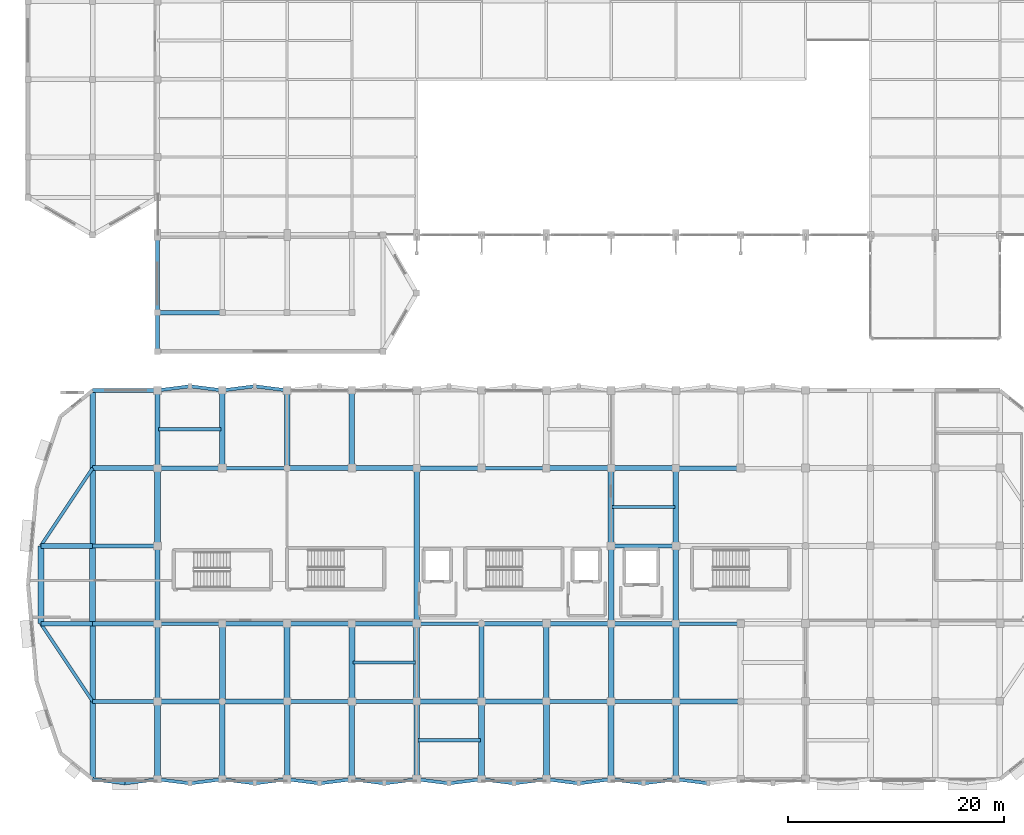
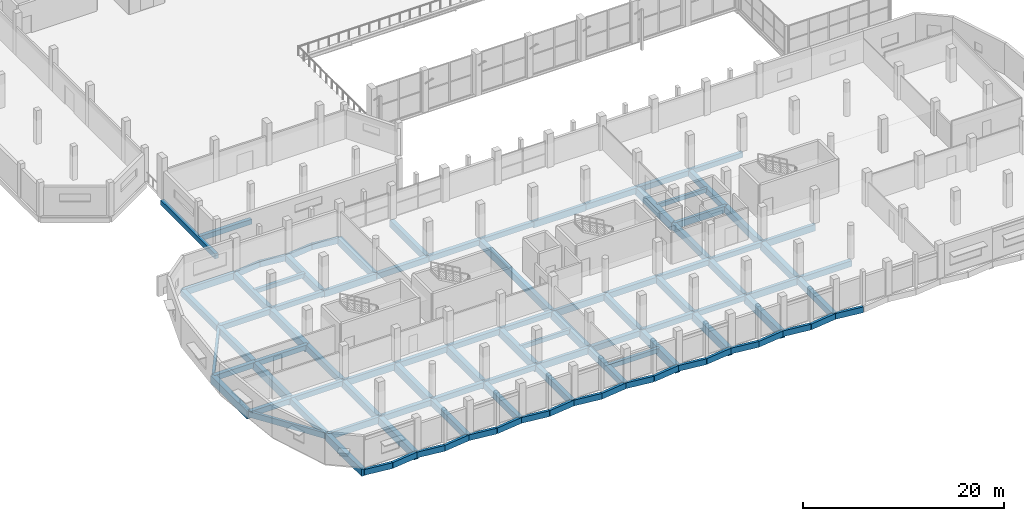
# One storey, part 12 of 127: 101 beams.
"""IFC4 building model written with IfcOpenShell, lengths in metres."""

from ifc_helpers import new_model, si_unit, direction, frame, origin, origin_2d, place, context, subcontext, project, spatial, rectangle, extrude, material, material_profile, profile_set, type_object, element, save


model = new_model("IFC4")

# Units and contexts
model_context = context("Model", 3, precision=1e-05, world=origin(), true_north=direction((0.0, 1.0)))
body_context = subcontext(model_context, "Body", "Model", "MODEL_VIEW")
ifc_project = project(units=[si_unit("LENGTHUNIT", "METRE"), si_unit("AREAUNIT", "SQUARE_METRE"), si_unit("VOLUMEUNIT", "CUBIC_METRE"), si_unit("PLANEANGLEUNIT", "RADIAN"), si_unit("MASSUNIT", "GRAM", prefix="KILO")], contexts=[model_context])

# Site, building, storey
site_placement = place(None, origin())
site = spatial("IfcSite", under=ifc_project, at=site_placement, CompositionType="ELEMENT")
building_placement = place(site_placement, origin())
building = spatial("IfcBuilding", under=site, at=building_placement, Name="Dunvalen Ferry Terminal", CompositionType="ELEMENT")
storey_placement = place(building_placement, frame((0.0, 0.0, 5.760009765625)))
storey = spatial("IfcBuildingStorey", under=building, at=storey_placement, Name="L01", CompositionType="ELEMENT", Elevation=5.760009765625)

# Beams
ifc_material_1 = material(Name="Concrete C35/45", Category="concrete")
ifc_material_profile_1 = material_profile(ifc_material_1, rectangle(XDim=0.300048828125, YDim=0.5, at=origin_2d()), Name="Concrete C35/45")
ifc_profile_set_1 = profile_set([ifc_material_profile_1], Name="Concrete C35/45")
beam_type_1 = type_object("IfcBeamType", Name="STR-BM-RCB500", PredefinedType="JOIST", material=ifc_profile_set_1)
for number, where, z_axis, x_axis, name in (
    (1, (30.10009765625, 10.800048828125, -0.510009765625), (1.0, 0.0, 0.0), (0.0, 1.0, 0.0), "L01 V5P0 Secondary Joist 002"),
    (2, (54.10009765625, 25.199951171875, -0.510009765625), (1.0, 0.0, 0.0), (0.0, 1.0, 0.0), "L01 V5P0 Secondary Joist 005"),
):
    element("IfcBeam", number, at=place(storey_placement, frame(where, z_axis=z_axis, x_axis=x_axis)), inside=storey, type_object=beam_type_1, Name=name, PredefinedType="JOIST", context=body_context, shape_type="SweptSolid", body=[
        extrude(rectangle(XDim=0.300048828125, YDim=0.5, at=origin_2d()), origin(), (0.0, 0.0, 1.0), 5.7998046875),
    ])
ifc_material_profile_2 = material_profile(ifc_material_1, rectangle(XDim=0.35009765625, YDim=0.5, at=origin_2d()), Name="Concrete C35/45")
ifc_profile_set_2 = profile_set([ifc_material_profile_2], Name="Concrete C35/45")
beam_type_2 = type_object("IfcBeamType", Name="STR-BM-RCB500W", PredefinedType="JOIST", material=ifc_profile_set_2)
beam_1_placement = place(storey_placement, frame((12.10009765625, 32.39990234375, -0.510009765625), z_axis=(1.0, 0.0, 0.0), x_axis=(0.0, 1.0, 0.0)))
element("IfcBeam", 3, at=beam_1_placement, inside=storey, type_object=beam_type_2, Name="L01 V5P0 Secondary Joist 001", PredefinedType="JOIST", context=body_context, shape_type="SweptSolid", body=[
    extrude(rectangle(XDim=0.35009765625, YDim=0.5, at=origin_2d()), origin(), (0.0, 0.0, 1.0), 5.7998046875),
])
ifc_material_profile_3 = material_profile(ifc_material_1, rectangle(XDim=0.35009765625, YDim=0.550048828125, at=origin_2d()), Name="Concrete C35/45")
ifc_profile_set_3 = profile_set([ifc_material_profile_3], Name="Concrete C35/45")
beam_type_3 = type_object("IfcBeamType", Name="STR-BM-RCB550", PredefinedType="JOIST", material=ifc_profile_set_3)
beam_2_placement = place(storey_placement, frame((36.10009765625, 3.60009765625, -0.534912109375), z_axis=(1.0, 0.0, 0.0), x_axis=(0.0, 1.0, 0.0)))
element("IfcBeam", 4, at=beam_2_placement, inside=storey, type_object=beam_type_3, Name="L01 V5P0 Secondary Joist 003", PredefinedType="JOIST", context=body_context, shape_type="SweptSolid", body=[
    extrude(rectangle(XDim=0.35009765625, YDim=0.550048828125, at=origin_2d()), origin(), (0.0, 0.0, 1.0), 5.7998046875),
])
ifc_material_profile_4 = material_profile(ifc_material_1, rectangle(XDim=0.39990234375, YDim=0.60009765625, at=origin_2d()), Name="Concrete C35/45")
ifc_profile_set_4 = profile_set([ifc_material_profile_4], Name="Concrete C35/45")
beam_type_4 = type_object("IfcBeamType", Name="STR-BM-RCB600", PredefinedType="BEAM", material=ifc_profile_set_4)
for number, where, z_axis, x_axis, name in (
    (5, (24.0, 7.199951171875, -0.56005859375), (1.0, 0.0, 0.0), (0.0, 1.0, 0.0), "L01 V5P0 Primary Beam X-018"),
    (6, (48.0, 7.199951171875, -0.56005859375), (1.0, 0.0, 0.0), (0.0, 1.0, 0.0), "L01 V5P0 Primary Beam X-022"),
    (7, (6.0, 14.39990234375, -0.56005859375), (1.0, 0.0, 0.0), (0.0, 1.0, 0.0), "L01 V5P0 Primary Beam X-030"),
    (8, (30.0, 14.39990234375, -0.56005859375), (1.0, 0.0, 0.0), (0.0, 1.0, 0.0), "L01 V5P0 Primary Beam X-034"),
    (9, (54.0, 14.39990234375, -0.56005859375), (1.0, 0.0, 0.0), (0.0, 1.0, 0.0), "L01 V5P0 Primary Beam X-038"),
    (10, (6.0, 21.60009765625, -0.56005859375), (1.0, 0.0, 0.0), (0.0, 1.0, 0.0), "L01 V5P0 Primary Beam X-046"),
    (11, (12.0, 28.800048828125, -0.56005859375), (1.0, 0.0, 0.0), (0.0, 1.0, 0.0), "L01 V5P0 Primary Beam X-054"),
    (12, (36.0, 28.800048828125, -0.56005859375), (1.0, 0.0, 0.0), (0.0, 1.0, 0.0), "L01 V5P0 Primary Beam X-058"),
    (13, (60.0, 28.800048828125, -0.56005859375), (1.0, 0.0, 0.0), (0.0, 1.0, 0.0), "L01 V5P0 Primary Beam X-062"),
):
    element("IfcBeam", number, at=place(storey_placement, frame(where, z_axis=z_axis, x_axis=x_axis)), inside=storey, type_object=beam_type_4, Name=name, PredefinedType="BEAM", context=body_context, shape_type="SweptSolid", body=[
        extrude(rectangle(XDim=0.39990234375, YDim=0.60009765625, at=origin_2d()), origin(), (0.0, 0.0, 1.0), 6.0),
    ])
beam_3_placement = place(storey_placement, frame((12.0, 50.39990234375, -0.580078125), z_axis=(0.0, -1.0, 0.0), x_axis=(1.0, 0.0, 0.0)))
element("IfcBeam", 14, at=beam_3_placement, inside=storey, type_object=beam_type_4, Name="L01 South-West Security Annex Ring Beam 05", PredefinedType="BEAM", context=body_context, shape_type="SweptSolid", body=[
    extrude(rectangle(XDim=0.39990234375, YDim=0.60009765625, at=origin_2d()), origin(), (0.0, 0.0, 1.0), 10.7998046875),
])
beam_4_placement = place(storey_placement, frame((12.0, 43.199951171875, -0.580078125), z_axis=(1.0, 0.0, 0.0), x_axis=(0.0, 1.0, 0.0)))
element("IfcBeam", 15, at=beam_4_placement, inside=storey, type_object=beam_type_4, Name="L01 V1ASW Primary Beam X-001", PredefinedType="BEAM", context=body_context, shape_type="SweptSolid", body=[
    extrude(rectangle(XDim=0.39990234375, YDim=0.60009765625, at=origin_2d()), origin(), (0.0, 0.0, 1.0), 6.0),
])
ifc_material_2 = material(Name="Concrete C40/50", Category="concrete")
ifc_material_profile_5 = material_profile(ifc_material_2, rectangle(XDim=0.449951171875, YDim=0.64990234375, at=origin_2d()), Name="Concrete C40/50")
ifc_profile_set_5 = profile_set([ifc_material_profile_5], Name="Concrete C40/50")
beam_type_5 = type_object("IfcBeamType", Name="STR-BM-RCB650W", PredefinedType="BEAM", material=ifc_profile_set_5)
for number, where, z_axis, x_axis, name in (
    (16, (18.0, 7.199951171875, -0.5849609375), (1.0, 0.0, 0.0), (0.0, 1.0, 0.0), "L01 V5P0 Primary Beam X-017"),
    (17, (42.0, 7.199951171875, -0.5849609375), (1.0, 0.0, 0.0), (0.0, 1.0, 0.0), "L01 V5P0 Primary Beam X-021"),
):
    element("IfcBeam", number, at=place(storey_placement, frame(where, z_axis=z_axis, x_axis=x_axis)), inside=storey, type_object=beam_type_5, Name=name, PredefinedType="BEAM", context=body_context, shape_type="SweptSolid", body=[
        extrude(rectangle(XDim=0.449951171875, YDim=0.64990234375, at=origin_2d()), origin(), (0.0, 0.0, 1.0), 6.0),
    ])
beam_5_placement = place(storey_placement, frame((1.199951171875, 14.39990234375, -0.5849609375), z_axis=(1.0, 0.0, 0.0), x_axis=(0.0, 1.0, 0.0)))
element("IfcBeam", 18, at=beam_5_placement, inside=storey, type_object=beam_type_5, Name="L01 V5P0 Primary Beam X-029", PredefinedType="BEAM", context=body_context, shape_type="SweptSolid", body=[
    extrude(rectangle(XDim=0.449951171875, YDim=0.64990234375, at=origin_2d()), origin(), (0.0, 0.0, 1.0), 4.800048828125),
])
for number, where, z_axis, x_axis, name in (
    (19, (24.0, 14.39990234375, -0.5849609375), (1.0, 0.0, 0.0), (0.0, 1.0, 0.0), "L01 V5P0 Primary Beam X-033"),
    (20, (48.0, 14.39990234375, -0.5849609375), (1.0, 0.0, 0.0), (0.0, 1.0, 0.0), "L01 V5P0 Primary Beam X-037"),
):
    element("IfcBeam", number, at=place(storey_placement, frame(where, z_axis=z_axis, x_axis=x_axis)), inside=storey, type_object=beam_type_5, Name=name, PredefinedType="BEAM", context=body_context, shape_type="SweptSolid", body=[
        extrude(rectangle(XDim=0.449951171875, YDim=0.64990234375, at=origin_2d()), origin(), (0.0, 0.0, 1.0), 6.0),
    ])
beam_6_placement = place(storey_placement, frame((1.199951171875, 21.60009765625, -0.5849609375), z_axis=(1.0, 0.0, 0.0), x_axis=(0.0, 1.0, 0.0)))
element("IfcBeam", 21, at=beam_6_placement, inside=storey, type_object=beam_type_5, Name="L01 V5P0 Primary Beam X-045", PredefinedType="BEAM", context=body_context, shape_type="SweptSolid", body=[
    extrude(rectangle(XDim=0.449951171875, YDim=0.64990234375, at=origin_2d()), origin(), (0.0, 0.0, 1.0), 4.800048828125),
])
for number, where, z_axis, x_axis, name in (
    (22, (6.0, 28.800048828125, -0.5849609375), (1.0, 0.0, 0.0), (0.0, 1.0, 0.0), "L01 V5P0 Primary Beam X-053"),
    (23, (30.0, 28.800048828125, -0.5849609375), (1.0, 0.0, 0.0), (0.0, 1.0, 0.0), "L01 V5P0 Primary Beam X-057"),
    (24, (54.0, 28.800048828125, -0.5849609375), (1.0, 0.0, 0.0), (0.0, 1.0, 0.0), "L01 V5P0 Primary Beam X-061"),
):
    element("IfcBeam", number, at=place(storey_placement, frame(where, z_axis=z_axis, x_axis=x_axis)), inside=storey, type_object=beam_type_5, Name=name, PredefinedType="BEAM", context=body_context, shape_type="SweptSolid", body=[
        extrude(rectangle(XDim=0.449951171875, YDim=0.64990234375, at=origin_2d()), origin(), (0.0, 0.0, 1.0), 6.0),
    ])
ifc_material_profile_6 = material_profile(ifc_material_2, rectangle(XDim=0.449951171875, YDim=0.699951171875, at=origin_2d()), Name="Concrete C40/50")
ifc_profile_set_6 = profile_set([ifc_material_profile_6], Name="Concrete C40/50")
beam_type_6 = type_object("IfcBeamType", Name="STR-BM-RCB700", PredefinedType="BEAM", material=ifc_profile_set_6)
for number, where, z_axis, x_axis, name in (
    (25, (12.0, 7.199951171875, -0.610107421875), (1.0, 0.0, 0.0), (0.0, 1.0, 0.0), "L01 V5P0 Primary Beam X-016"),
    (26, (36.0, 7.199951171875, -0.610107421875), (1.0, 0.0, 0.0), (0.0, 1.0, 0.0), "L01 V5P0 Primary Beam X-020"),
    (27, (60.0, 7.199951171875, -0.610107421875), (1.0, 0.0, 0.0), (0.0, 1.0, 0.0), "L01 V5P0 Primary Beam X-024"),
    (28, (18.0, 14.39990234375, -0.610107421875), (1.0, 0.0, 0.0), (0.0, 1.0, 0.0), "L01 V5P0 Primary Beam X-032"),
    (29, (42.0, 14.39990234375, -0.610107421875), (1.0, 0.0, 0.0), (0.0, 1.0, 0.0), "L01 V5P0 Primary Beam X-036"),
    (30, (24.0, 28.800048828125, -0.610107421875), (1.0, 0.0, 0.0), (0.0, 1.0, 0.0), "L01 V5P0 Primary Beam X-056"),
    (31, (48.0, 28.800048828125, -0.610107421875), (1.0, 0.0, 0.0), (0.0, 1.0, 0.0), "L01 V5P0 Primary Beam X-060"),
):
    element("IfcBeam", number, at=place(storey_placement, frame(where, z_axis=z_axis, x_axis=x_axis)), inside=storey, type_object=beam_type_6, Name=name, PredefinedType="BEAM", context=body_context, shape_type="SweptSolid", body=[
        extrude(rectangle(XDim=0.449951171875, YDim=0.699951171875, at=origin_2d()), origin(), (0.0, 0.0, 1.0), 6.0),
    ])
ifc_material_profile_7 = material_profile(ifc_material_2, rectangle(XDim=0.5, YDim=0.75, at=origin_2d()), Name="Concrete C40/50")
ifc_profile_set_7 = profile_set([ifc_material_profile_7], Name="Concrete C40/50")
beam_type_7 = type_object("IfcBeamType", Name="STR-BM-RCB750", PredefinedType="BEAM", material=ifc_profile_set_7)
for number, where, z_axis, x_axis, name in (
    (32, (6.0, 7.199951171875, -0.635009765625), (0.0, 1.0, 0.0), (-1.0, 0.0, 0.0), "L01 V5P0 Primary Girder Y-083"),
    (33, (6.0, 28.800048828125, -0.635009765625), (0.0, 1.0, 0.0), (-1.0, 0.0, 0.0), "L01 V5P0 Primary Girder Y-086"),
):
    element("IfcBeam", number, at=place(storey_placement, frame(where, z_axis=z_axis, x_axis=x_axis)), inside=storey, type_object=beam_type_7, Name=name, PredefinedType="BEAM", context=body_context, shape_type="SweptSolid", body=[
        extrude(rectangle(XDim=0.5, YDim=0.75, at=origin_2d()), origin(), (0.0, 0.0, 1.0), 7.199951171875),
    ])
beam_7_placement = place(storey_placement, frame((12.0, 14.39990234375, -0.635009765625), z_axis=(0.0, 1.0, 0.0), x_axis=(-1.0, 0.0, 0.0)))
element("IfcBeam", 34, at=beam_7_placement, inside=storey, type_object=beam_type_7, Name="L01 V5P0 Primary Girder Y-089", PredefinedType="BEAM", context=body_context, shape_type="SweptSolid", body=[
    extrude(rectangle(XDim=0.5, YDim=0.75, at=origin_2d()), origin(), (0.0, 0.0, 1.0), 7.2001953125),
])
for number, where, z_axis, x_axis, name in (
    (35, (18.0, 0.0, -0.635009765625), (0.0, 1.0, 0.0), (-1.0, 0.0, 0.0), "L01 V5P0 Primary Girder Y-092"),
    (36, (24.0, 0.0, -0.635009765625), (0.0, 1.0, 0.0), (-1.0, 0.0, 0.0), "L01 V5P0 Primary Girder Y-095"),
    (37, (30.0, 0.0, -0.635009765625), (0.0, 1.0, 0.0), (-1.0, 0.0, 0.0), "L01 V5P0 Primary Girder Y-098"),
    (38, (36.0, 0.0, -0.635009765625), (0.0, 1.0, 0.0), (-1.0, 0.0, 0.0), "L01 V5P0 Primary Girder Y-101"),
):
    element("IfcBeam", number, at=place(storey_placement, frame(where, z_axis=z_axis, x_axis=x_axis)), inside=storey, type_object=beam_type_7, Name=name, PredefinedType="BEAM", context=body_context, shape_type="SweptSolid", body=[
        extrude(rectangle(XDim=0.5, YDim=0.75, at=origin_2d()), origin(), (0.0, 0.0, 1.0), 7.199951171875),
    ])
beam_8_placement = place(storey_placement, frame((54.0, 14.39990234375, -0.635009765625), z_axis=(0.0, 1.0, 0.0), x_axis=(-1.0, 0.0, 0.0)))
element("IfcBeam", 39, at=beam_8_placement, inside=storey, type_object=beam_type_7, Name="L01 V5P0 Primary Girder Y-113", PredefinedType="BEAM", context=body_context, shape_type="SweptSolid", body=[
    extrude(rectangle(XDim=0.5, YDim=0.75, at=origin_2d()), origin(), (0.0, 0.0, 1.0), 7.2001953125),
])
for number, where, z_axis, x_axis, name in (
    (40, (60.0, 0.0, -0.635009765625), (0.0, 1.0, 0.0), (-1.0, 0.0, 0.0), "L01 V5P0 Primary Girder Y-116"),
    (41, (60.0, 21.60009765625, -0.635009765625), (0.0, 1.0, 0.0), (-1.0, 0.0, 0.0), "L01 V5P0 Primary Girder Y-119"),
):
    element("IfcBeam", number, at=place(storey_placement, frame(where, z_axis=z_axis, x_axis=x_axis)), inside=storey, type_object=beam_type_7, Name=name, PredefinedType="BEAM", context=body_context, shape_type="SweptSolid", body=[
        extrude(rectangle(XDim=0.5, YDim=0.75, at=origin_2d()), origin(), (0.0, 0.0, 1.0), 7.199951171875),
    ])
ifc_material_profile_8 = material_profile(ifc_material_2, rectangle(XDim=0.5, YDim=0.85009765625, at=origin_2d()), Name="Concrete C40/50")
ifc_profile_set_8 = profile_set([ifc_material_profile_8], Name="Concrete C40/50")
beam_type_8 = type_object("IfcBeamType", Name="STR-BM-RCG850", PredefinedType="BEAM", material=ifc_profile_set_8)
for number, where, z_axis, x_axis, name in (
    (42, (6.0, 0.0, -0.68505859375), (0.0, 1.0, 0.0), (-1.0, 0.0, 0.0), "L01 V5P0 Primary Girder Y-082"),
    (43, (6.0, 21.60009765625, -0.68505859375), (0.0, 1.0, 0.0), (-1.0, 0.0, 0.0), "L01 V5P0 Primary Girder Y-085"),
    (44, (12.0, 7.199951171875, -0.68505859375), (0.0, 1.0, 0.0), (-1.0, 0.0, 0.0), "L01 V5P0 Primary Girder Y-088"),
    (45, (12.0, 28.800048828125, -0.68505859375), (0.0, 1.0, 0.0), (-1.0, 0.0, 0.0), "L01 V5P0 Primary Girder Y-091"),
    (46, (18.0, 28.800048828125, -0.68505859375), (0.0, 1.0, 0.0), (-1.0, 0.0, 0.0), "L01 V5P0 Primary Girder Y-094"),
    (47, (24.0, 28.800048828125, -0.68505859375), (0.0, 1.0, 0.0), (-1.0, 0.0, 0.0), "L01 V5P0 Primary Girder Y-097"),
    (48, (30.0, 28.800048828125, -0.68505859375), (0.0, 1.0, 0.0), (-1.0, 0.0, 0.0), "L01 V5P0 Primary Girder Y-100"),
):
    element("IfcBeam", number, at=place(storey_placement, frame(where, z_axis=z_axis, x_axis=x_axis)), inside=storey, type_object=beam_type_8, Name=name, PredefinedType="BEAM", context=body_context, shape_type="SweptSolid", body=[
        extrude(rectangle(XDim=0.5, YDim=0.85009765625, at=origin_2d()), origin(), (0.0, 0.0, 1.0), 7.199951171875),
    ])
beam_9_placement = place(storey_placement, frame((36.0, 14.39990234375, -0.68505859375), z_axis=(0.0, 1.0, 0.0), x_axis=(-1.0, 0.0, 0.0)))
element("IfcBeam", 49, at=beam_9_placement, inside=storey, type_object=beam_type_8, Name="L01 V5P0 Primary Girder Y-103", PredefinedType="BEAM", context=body_context, shape_type="SweptSolid", body=[
    extrude(rectangle(XDim=0.5, YDim=0.85009765625, at=origin_2d()), origin(), (0.0, 0.0, 1.0), 14.400146484375),
])
for number, where, z_axis, x_axis, name in (
    (50, (42.0, 7.199951171875, -0.68505859375), (0.0, 1.0, 0.0), (-1.0, 0.0, 0.0), "L01 V5P0 Primary Girder Y-106"),
    (51, (48.0, 7.199951171875, -0.68505859375), (0.0, 1.0, 0.0), (-1.0, 0.0, 0.0), "L01 V5P0 Primary Girder Y-109"),
    (52, (54.0, 7.199951171875, -0.68505859375), (0.0, 1.0, 0.0), (-1.0, 0.0, 0.0), "L01 V5P0 Primary Girder Y-112"),
):
    element("IfcBeam", number, at=place(storey_placement, frame(where, z_axis=z_axis, x_axis=x_axis)), inside=storey, type_object=beam_type_8, Name=name, PredefinedType="BEAM", context=body_context, shape_type="SweptSolid", body=[
        extrude(rectangle(XDim=0.5, YDim=0.85009765625, at=origin_2d()), origin(), (0.0, 0.0, 1.0), 7.199951171875),
    ])
beam_10_placement = place(storey_placement, frame((60.0, 14.39990234375, -0.68505859375), z_axis=(0.0, 1.0, 0.0), x_axis=(-1.0, 0.0, 0.0)))
element("IfcBeam", 53, at=beam_10_placement, inside=storey, type_object=beam_type_8, Name="L01 V5P0 Primary Girder Y-118", PredefinedType="BEAM", context=body_context, shape_type="SweptSolid", body=[
    extrude(rectangle(XDim=0.5, YDim=0.85009765625, at=origin_2d()), origin(), (0.0, 0.0, 1.0), 7.2001953125),
])
ifc_material_profile_9 = material_profile(ifc_material_2, rectangle(XDim=0.550048828125, YDim=0.949951171875, at=origin_2d()), Name="Concrete C40/50")
ifc_profile_set_9 = profile_set([ifc_material_profile_9], Name="Concrete C40/50")
beam_type_9 = type_object("IfcBeamType", Name="STR-BM-RCG950", PredefinedType="BEAM", material=ifc_profile_set_9)
for number, where, z_axis, x_axis, name in (
    (54, (1.199951171875, 14.39990234375, -0.735107421875), (0.0, 1.0, 0.0), (-1.0, 0.0, 0.0), "L01 V5P0 Primary Girder Y-081"),
    (55, (6.0, 14.39990234375, -0.735107421875), (0.0, 1.0, 0.0), (-1.0, 0.0, 0.0), "L01 V5P0 Primary Girder Y-084"),
):
    element("IfcBeam", number, at=place(storey_placement, frame(where, z_axis=z_axis, x_axis=x_axis)), inside=storey, type_object=beam_type_9, Name=name, PredefinedType="BEAM", context=body_context, shape_type="SweptSolid", body=[
        extrude(rectangle(XDim=0.550048828125, YDim=0.949951171875, at=origin_2d()), origin(), (0.0, 0.0, 1.0), 7.2001953125),
    ])
for number, where, z_axis, x_axis, name in (
    (56, (12.0, 0.0, -0.735107421875), (0.0, 1.0, 0.0), (-1.0, 0.0, 0.0), "L01 V5P0 Primary Girder Y-087"),
    (57, (12.0, 21.60009765625, -0.735107421875), (0.0, 1.0, 0.0), (-1.0, 0.0, 0.0), "L01 V5P0 Primary Girder Y-090"),
    (58, (18.0, 7.199951171875, -0.735107421875), (0.0, 1.0, 0.0), (-1.0, 0.0, 0.0), "L01 V5P0 Primary Girder Y-093"),
    (59, (24.0, 7.199951171875, -0.735107421875), (0.0, 1.0, 0.0), (-1.0, 0.0, 0.0), "L01 V5P0 Primary Girder Y-096"),
    (60, (30.0, 7.199951171875, -0.735107421875), (0.0, 1.0, 0.0), (-1.0, 0.0, 0.0), "L01 V5P0 Primary Girder Y-099"),
    (61, (36.0, 7.199951171875, -0.735107421875), (0.0, 1.0, 0.0), (-1.0, 0.0, 0.0), "L01 V5P0 Primary Girder Y-102"),
    (62, (42.0, 0.0, -0.735107421875), (0.0, 1.0, 0.0), (-1.0, 0.0, 0.0), "L01 V5P0 Primary Girder Y-105"),
    (63, (48.0, 0.0, -0.735107421875), (0.0, 1.0, 0.0), (-1.0, 0.0, 0.0), "L01 V5P0 Primary Girder Y-108"),
    (64, (54.0, 0.0, -0.735107421875), (0.0, 1.0, 0.0), (-1.0, 0.0, 0.0), "L01 V5P0 Primary Girder Y-111"),
    (65, (54.0, 21.60009765625, -0.735107421875), (0.0, 1.0, 0.0), (-1.0, 0.0, 0.0), "L01 V5P0 Primary Girder Y-114"),
    (66, (60.0, 7.199951171875, -0.735107421875), (0.0, 1.0, 0.0), (-1.0, 0.0, 0.0), "L01 V5P0 Primary Girder Y-117"),
):
    element("IfcBeam", number, at=place(storey_placement, frame(where, z_axis=z_axis, x_axis=x_axis)), inside=storey, type_object=beam_type_9, Name=name, PredefinedType="BEAM", context=body_context, shape_type="SweptSolid", body=[
        extrude(rectangle(XDim=0.550048828125, YDim=0.949951171875, at=origin_2d()), origin(), (0.0, 0.0, 1.0), 7.199951171875),
    ])
ifc_material_profile_10 = material_profile(ifc_material_2, rectangle(XDim=0.300048828125, YDim=0.699951171875, at=origin_2d()), Name="Concrete C40/50")
ifc_profile_set_10 = profile_set([ifc_material_profile_10], Name="Concrete C40/50")
beam_type_10 = type_object("IfcBeamType", Name="STR-BM-RCSP700", PredefinedType="SPANDREL", material=ifc_profile_set_10)
for number, where, z_axis, x_axis, name in (
    (67, (6.0, 0.0, -0.610107421875), (0.992077869489, -0.12562444376, 0.0), (0.12562444376, 0.992077869489, 0.0), "L01 Forecourt Pilaster Spandrel Tie 01.1"),
    (68, (9.0, -0.3798828125, -0.610107421875), (0.992077869489, 0.12562444376, 0.0), (-0.12562444376, 0.992077869489, 0.0), "L01 Forecourt Pilaster Spandrel Tie 01.2"),
    (69, (12.0, 0.0, -0.610107421875), (0.992077869489, -0.12562444376, 0.0), (0.12562444376, 0.992077869489, 0.0), "L01 Forecourt Pilaster Spandrel Tie 02.1"),
    (70, (15.0, -0.3798828125, -0.610107421875), (0.992077869489, 0.12562444376, 0.0), (-0.12562444376, 0.992077869489, 0.0), "L01 Forecourt Pilaster Spandrel Tie 02.2"),
    (71, (18.0, 0.0, -0.610107421875), (0.992077869489, -0.12562444376, 0.0), (0.12562444376, 0.992077869489, 0.0), "L01 Forecourt Pilaster Spandrel Tie 03.1"),
    (72, (21.0, -0.3798828125, -0.610107421875), (0.992077869489, 0.12562444376, 0.0), (-0.12562444376, 0.992077869489, 0.0), "L01 Forecourt Pilaster Spandrel Tie 03.2"),
    (73, (24.0, 0.0, -0.610107421875), (0.992077869489, -0.12562444376, 0.0), (0.12562444376, 0.992077869489, 0.0), "L01 Forecourt Pilaster Spandrel Tie 04.1"),
    (74, (27.0, -0.3798828125, -0.610107421875), (0.992077869489, 0.12562444376, 0.0), (-0.12562444376, 0.992077869489, 0.0), "L01 Forecourt Pilaster Spandrel Tie 04.2"),
    (75, (30.0, 0.0, -0.610107421875), (0.992077869489, -0.12562444376, 0.0), (0.12562444376, 0.992077869489, 0.0), "L01 Forecourt Pilaster Spandrel Tie 05.1"),
    (76, (33.0, -0.3798828125, -0.610107421875), (0.992077869489, 0.12562444376, 0.0), (-0.12562444376, 0.992077869489, 0.0), "L01 Forecourt Pilaster Spandrel Tie 05.2"),
    (77, (36.0, 0.0, -0.610107421875), (0.992077869489, -0.12562444376, 0.0), (0.12562444376, 0.992077869489, 0.0), "L01 Forecourt Pilaster Spandrel Tie 06.1"),
    (78, (39.0, -0.3798828125, -0.610107421875), (0.992077869489, 0.12562444376, 0.0), (-0.12562444376, 0.992077869489, 0.0), "L01 Forecourt Pilaster Spandrel Tie 06.2"),
    (79, (42.0, 0.0, -0.610107421875), (0.992077869489, -0.12562444376, 0.0), (0.12562444376, 0.992077869489, 0.0), "L01 Forecourt Pilaster Spandrel Tie 07.1"),
    (80, (45.0, -0.3798828125, -0.610107421875), (0.992077869489, 0.12562444376, 0.0), (-0.12562444376, 0.992077869489, 0.0), "L01 Forecourt Pilaster Spandrel Tie 07.2"),
    (81, (48.0, 0.0, -0.610107421875), (0.992077869489, -0.12562444376, 0.0), (0.12562444376, 0.992077869489, 0.0), "L01 Forecourt Pilaster Spandrel Tie 08.1"),
    (82, (51.0, -0.3798828125, -0.610107421875), (0.992077869489, 0.12562444376, 0.0), (-0.12562444376, 0.992077869489, 0.0), "L01 Forecourt Pilaster Spandrel Tie 08.2"),
    (83, (54.0, 0.0, -0.610107421875), (0.992077869489, -0.12562444376, 0.0), (0.12562444376, 0.992077869489, 0.0), "L01 Forecourt Pilaster Spandrel Tie 09.1"),
    (84, (57.0, -0.3798828125, -0.610107421875), (0.992077869489, 0.12562444376, 0.0), (-0.12562444376, 0.992077869489, 0.0), "L01 Forecourt Pilaster Spandrel Tie 09.2"),
    (85, (60.0, 0.0, -0.610107421875), (0.992077869489, -0.12562444376, 0.0), (0.12562444376, 0.992077869489, 0.0), "L01 Forecourt Pilaster Spandrel Tie 10.1"),
    (86, (12.0, 36.0, -0.610107421875), (0.992077869489, 0.12562444376, 0.0), (-0.12562444376, 0.992077869489, 0.0), "L01 Passage Pilaster Spandrel Tie 01.1"),
    (87, (15.0, 36.3798828125, -0.610107421875), (0.992077869489, -0.12562444376, 0.0), (0.12562444376, 0.992077869489, 0.0), "L01 Passage Pilaster Spandrel Tie 01.2"),
    (88, (18.0, 36.0, -0.610107421875), (0.992077869489, 0.12562444376, 0.0), (-0.12562444376, 0.992077869489, 0.0), "L01 Passage Pilaster Spandrel Tie 02.1"),
    (89, (21.0, 36.3798828125, -0.610107421875), (0.992077869489, -0.12562444376, 0.0), (0.12562444376, 0.992077869489, 0.0), "L01 Passage Pilaster Spandrel Tie 02.2"),
):
    element("IfcBeam", number, at=place(storey_placement, frame(where, z_axis=z_axis, x_axis=x_axis)), inside=storey, type_object=beam_type_10, Name=name, PredefinedType="SPANDREL", context=body_context, shape_type="SweptSolid", body=[
        extrude(rectangle(XDim=0.300048828125, YDim=0.699951171875, at=origin_2d()), origin(), (0.0, 0.0, 1.0), 3.02392578125),
    ])
for number, where, z_axis, x_axis, name in (
    (90, (6.0, 7.199951171875, -0.610107421875), (-0.554706707029, 0.832045953765, 0.0), (-0.832045953765, -0.554706707029, 0.0), "L01 Prow Spandrel Beam WP1"),
    (91, (1.199951171875, 21.60009765625, -0.610107421875), (0.554706707029, 0.832045953765, 0.0), (-0.832045953765, 0.554706707029, 0.0), "L01 Prow Spandrel Beam WP3"),
):
    element("IfcBeam", number, at=place(storey_placement, frame(where, z_axis=z_axis, x_axis=x_axis)), inside=storey, type_object=beam_type_10, Name=name, PredefinedType="SPANDREL", context=body_context, shape_type="SweptSolid", body=[
        extrude(rectangle(XDim=0.300048828125, YDim=0.699951171875, at=origin_2d()), origin(), (0.0, 0.0, 1.0), 8.6533203125),
    ])
ifc_material_profile_11 = material_profile(ifc_material_2, rectangle(XDim=0.35009765625, YDim=0.800048828125, at=origin_2d()), Name="Concrete C40/50")
ifc_profile_set_11 = profile_set([ifc_material_profile_11], Name="Concrete C40/50")
beam_type_11 = type_object("IfcBeamType", Name="STR-BM-RCSP800", PredefinedType="SPANDREL", material=ifc_profile_set_11)
for number, where, z_axis, x_axis, name in (
    (92, (6.0, 7.199951171875, -0.659912109375), (1.0, 0.0, 0.0), (0.0, 1.0, 0.0), "L01 V5P0 Primary Beam X-015"),
    (93, (30.0, 7.199951171875, -0.659912109375), (1.0, 0.0, 0.0), (0.0, 1.0, 0.0), "L01 V5P0 Primary Beam X-019"),
    (94, (54.0, 7.199951171875, -0.659912109375), (1.0, 0.0, 0.0), (0.0, 1.0, 0.0), "L01 V5P0 Primary Beam X-023"),
    (95, (12.0, 14.39990234375, -0.659912109375), (1.0, 0.0, 0.0), (0.0, 1.0, 0.0), "L01 V5P0 Primary Beam X-031"),
    (96, (36.0, 14.39990234375, -0.659912109375), (1.0, 0.0, 0.0), (0.0, 1.0, 0.0), "L01 V5P0 Primary Beam X-035"),
    (97, (60.0, 14.39990234375, -0.659912109375), (1.0, 0.0, 0.0), (0.0, 1.0, 0.0), "L01 V5P0 Primary Beam X-039"),
    (98, (54.0, 21.60009765625, -0.659912109375), (1.0, 0.0, 0.0), (0.0, 1.0, 0.0), "L01 V5P0 Primary Beam X-047"),
    (99, (18.0, 28.800048828125, -0.659912109375), (1.0, 0.0, 0.0), (0.0, 1.0, 0.0), "L01 V5P0 Primary Beam X-055"),
    (100, (42.0, 28.800048828125, -0.659912109375), (1.0, 0.0, 0.0), (0.0, 1.0, 0.0), "L01 V5P0 Primary Beam X-059"),
    (101, (6.0, 36.0, -0.659912109375), (1.0, 0.0, 0.0), (0.0, 1.0, 0.0), "L01 V5P0 Primary Beam X-067"),
):
    element("IfcBeam", number, at=place(storey_placement, frame(where, z_axis=z_axis, x_axis=x_axis)), inside=storey, type_object=beam_type_11, Name=name, PredefinedType="SPANDREL", context=body_context, shape_type="SweptSolid", body=[
        extrude(rectangle(XDim=0.35009765625, YDim=0.800048828125, at=origin_2d()), origin(), (0.0, 0.0, 1.0), 6.0),
    ])

save(model, "model.ifc")
